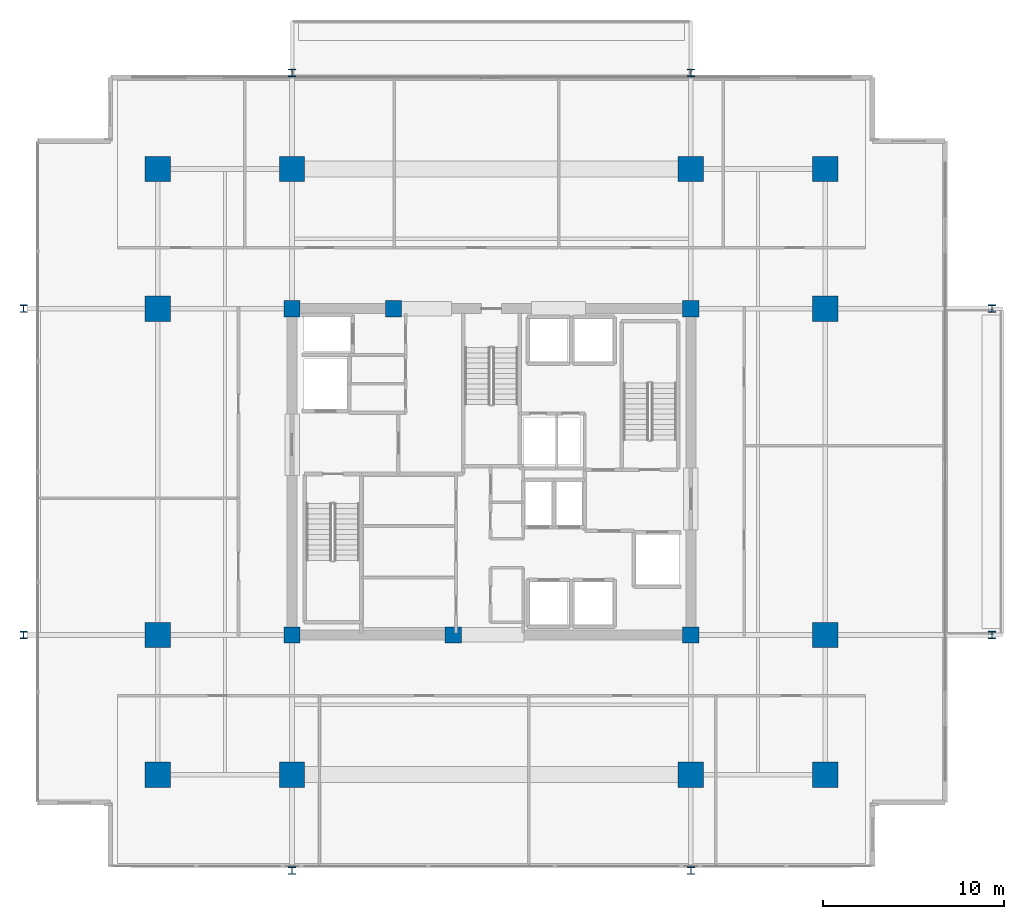
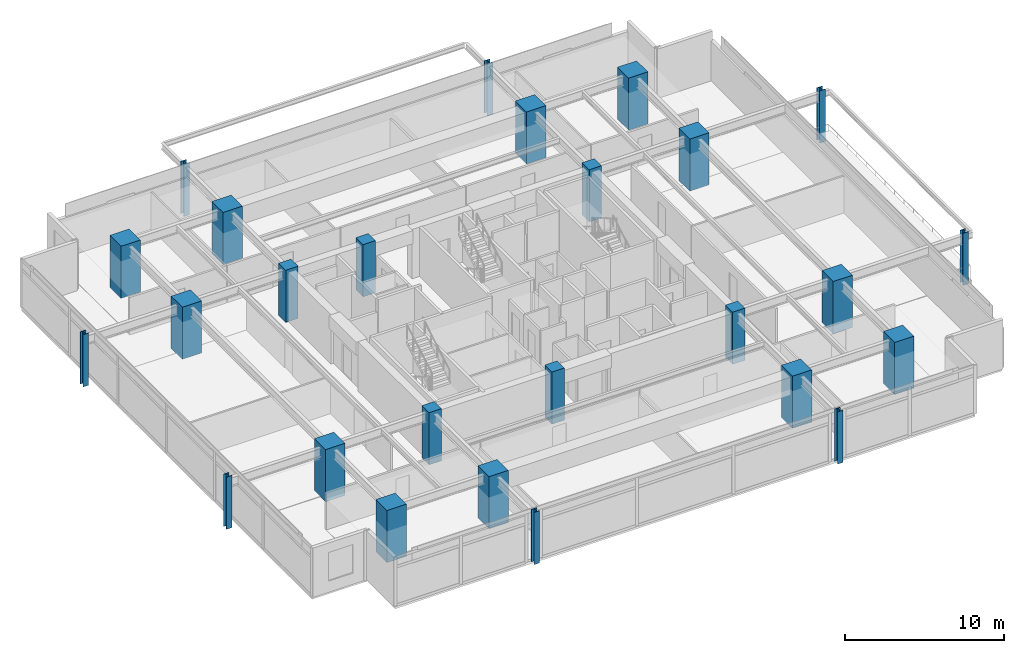
# One storey, part 1 of 21: 26 columns.
"""IFC4 building model written with IfcOpenShell, lengths in metres."""

from ifc_helpers import new_model, si_unit, direction, frame, origin, origin_2d, place, context, subcontext, project, spatial, rectangle, i_section, extrude, material, material_profile, profile_set, type_object, element, save


model = new_model("IFC4")

# Units and contexts
model_context = context("Model", 3, precision=1e-05, world=origin(), true_north=direction((0.0, 1.0)))
body_context = subcontext(model_context, "Body", "Model", "MODEL_VIEW")
ifc_project = project(units=[si_unit("LENGTHUNIT", "METRE"), si_unit("AREAUNIT", "SQUARE_METRE"), si_unit("VOLUMEUNIT", "CUBIC_METRE"), si_unit("PLANEANGLEUNIT", "RADIAN"), si_unit("MASSUNIT", "GRAM", prefix="KILO")], contexts=[model_context])

# Site, building, storey
site_placement = place(None, origin())
site = spatial("IfcSite", under=ifc_project, at=site_placement, CompositionType="ELEMENT")
building_placement = place(site_placement, origin())
building = spatial("IfcBuilding", under=site, at=building_placement, Name="Kovane Verandah Tower", CompositionType="ELEMENT")
storey_placement = place(building_placement, frame((0.0, 0.0, 209.199951171875)))
storey = spatial("IfcBuildingStorey", under=building, at=storey_placement, Name="L48", CompositionType="ELEMENT", Elevation=209.199951171875)

# Columns
ifc_material_1 = material(Name="Concrete C60/75", Category="concrete")
ifc_material_profile_1 = material_profile(ifc_material_1, rectangle(XDim=1.39990234375, YDim=1.39990234375, at=origin_2d()), Name="RC1400x1400")
ifc_profile_set_1 = profile_set([ifc_material_profile_1], Name="Concrete C60/75")
column_type_1 = type_object("IfcColumnType", Name="COL-RC1400", PredefinedType="COLUMN", material=ifc_profile_set_1)
for number, where, z_axis, x_axis, name in (
    (1, (29.0, 10.800048828125, 0.0), (0.0, 0.0, 1.0), (1.0, 0.0, 0.0), "L48 Tower Mega-Column MC-S1"),
    (2, (51.0, 10.800048828125, 0.0), (0.0, 0.0, 1.0), (1.0, 0.0, 0.0), "L48 Tower Mega-Column MC-S2"),
    (3, (29.0, 44.199951171875, 0.0), (0.0, 0.0, 1.0), (1.0, 0.0, 0.0), "L48 Tower Mega-Column MC-N1"),
    (4, (51.0, 44.199951171875, 0.0), (0.0, 0.0, 1.0), (1.0, 0.0, 0.0), "L48 Tower Mega-Column MC-N2"),
    (5, (21.60009765625, 18.5, 0.0), (0.0, 0.0, 1.0), (1.0, 0.0, 0.0), "L48 Tower Mega-Column MC-W1"),
    (6, (21.60009765625, 36.5, 0.0), (0.0, 0.0, 1.0), (1.0, 0.0, 0.0), "L48 Tower Mega-Column MC-W2"),
    (7, (58.39990234375, 18.5, 0.0), (0.0, 0.0, 1.0), (1.0, 0.0, 0.0), "L48 Tower Mega-Column MC-E1"),
    (8, (58.39990234375, 36.5, 0.0), (0.0, 0.0, 1.0), (1.0, 0.0, 0.0), "L48 Tower Mega-Column MC-E2"),
    (9, (21.60009765625, 10.800048828125, 0.0), (0.0, 0.0, 1.0), (1.0, 0.0, 0.0), "L48 Tower Mega-Column MC-SW"),
    (10, (58.39990234375, 10.800048828125, 0.0), (0.0, 0.0, 1.0), (1.0, 0.0, 0.0), "L48 Tower Mega-Column MC-SE"),
    (11, (21.60009765625, 44.199951171875, 0.0), (0.0, 0.0, 1.0), (1.0, 0.0, 0.0), "L48 Tower Mega-Column MC-NW"),
    (12, (58.39990234375, 44.199951171875, 0.0), (0.0, 0.0, 1.0), (1.0, 0.0, 0.0), "L48 Tower Mega-Column MC-NE"),
):
    element("IfcColumn", number, at=place(storey_placement, frame(where, z_axis=z_axis, x_axis=x_axis)), inside=storey, type_object=column_type_1, Name=name, PredefinedType="COLUMN", context=body_context, shape_type="SweptSolid", body=[
        extrude(rectangle(XDim=1.39990234375, YDim=1.39990234375, at=origin_2d()), origin(), (0.0, 0.0, 1.0), 4.0),
    ])
ifc_material_2 = material(Name="Steel S460", Category="steel")
ifc_material_profile_2 = material_profile(ifc_material_2, i_section(OverallWidth=0.403076171875, OverallDepth=0.406494140625, WebThickness=0.026611328125, FlangeThickness=0.04296875, FilletRadius=0.01513671875, at=origin_2d()), Name="UC356x406x340")
ifc_profile_set_2 = profile_set([ifc_material_profile_2], Name="Steel S460")
column_type_2 = type_object("IfcColumnType", Name="COL-UC340", PredefinedType="COLUMN", material=ifc_profile_set_2)
for number, where, z_axis, x_axis, name in (
    (13, (14.199951171875, 18.5, 0.0), (0.0, 0.0, 1.0), (1.0, 0.0, 0.0), "L48 Verandah Perimeter Column VC-W1"),
    (14, (14.199951171875, 36.5, 0.0), (0.0, 0.0, 1.0), (1.0, 0.0, 0.0), "L48 Verandah Perimeter Column VC-W2"),
    (15, (67.60009765625, 18.5, 0.0), (0.0, 0.0, 1.0), (1.0, 0.0, 0.0), "L48 Verandah Perimeter Column VC-E1"),
    (16, (67.60009765625, 36.5, 0.0), (0.0, 0.0, 1.0), (1.0, 0.0, 0.0), "L48 Verandah Perimeter Column VC-E2"),
    (17, (29.0, 5.5, 0.0), (0.0, 0.0, 1.0), (1.0, 0.0, 0.0), "L48 Verandah Perimeter Column VC-S1"),
    (18, (51.0, 5.5, 0.0), (0.0, 0.0, 1.0), (1.0, 0.0, 0.0), "L48 Verandah Perimeter Column VC-S2"),
    (19, (29.0, 49.5, 0.0), (0.0, 0.0, 1.0), (1.0, 0.0, 0.0), "L48 Verandah Perimeter Column VC-N1"),
    (20, (51.0, 49.5, 0.0), (0.0, 0.0, 1.0), (1.0, 0.0, 0.0), "L48 Verandah Perimeter Column VC-N2"),
):
    element("IfcColumn", number, at=place(storey_placement, frame(where, z_axis=z_axis, x_axis=x_axis)), inside=storey, type_object=column_type_2, Name=name, PredefinedType="COLUMN", context=body_context, shape_type="SweptSolid", body=[
        extrude(i_section(OverallWidth=0.403076171875, OverallDepth=0.406494140625, WebThickness=0.026611328125, FlangeThickness=0.04296875, FilletRadius=0.01513671875, at=origin_2d()), origin(), (0.0, 0.0, 1.0), 4.0),
    ])
ifc_material_profile_3 = material_profile(ifc_material_1, rectangle(XDim=0.89990234375, YDim=0.89990234375, at=origin_2d()), Name="RC900x900")
ifc_profile_set_3 = profile_set([ifc_material_profile_3], Name="Concrete C60/75")
column_type_3 = type_object("IfcColumnType", Name="PIL-RC900", PredefinedType="PILASTER", material=ifc_profile_set_3)
for number, where, z_axis, x_axis, name in (
    (21, (29.0, 18.5, 0.0), (0.0, 0.0, 1.0), (1.0, 0.0, 0.0), "L48 Core Pilaster CP-SW"),
    (22, (51.0, 18.5, 0.0), (0.0, 0.0, 1.0), (1.0, 0.0, 0.0), "L48 Core Pilaster CP-SE"),
    (23, (29.0, 36.5, 0.0), (0.0, 0.0, 1.0), (1.0, 0.0, 0.0), "L48 Core Pilaster CP-NW"),
    (24, (51.0, 36.5, 0.0), (0.0, 0.0, 1.0), (1.0, 0.0, 0.0), "L48 Core Pilaster CP-NE"),
    (25, (37.89990234375, 18.5, 0.0), (0.0, 0.0, 1.0), (1.0, 0.0, 0.0), "L48 Core Pilaster CP-S"),
    (26, (34.60009765625, 36.5, 0.0), (0.0, 0.0, 1.0), (1.0, 0.0, 0.0), "L48 Core Pilaster CP-N"),
):
    element("IfcColumn", number, at=place(storey_placement, frame(where, z_axis=z_axis, x_axis=x_axis)), inside=storey, type_object=column_type_3, Name=name, PredefinedType="PILASTER", context=body_context, shape_type="SweptSolid", body=[
        extrude(rectangle(XDim=0.89990234375, YDim=0.89990234375, at=origin_2d()), origin(), (0.0, 0.0, 1.0), 4.0),
    ])

save(model, "model.ifc")
